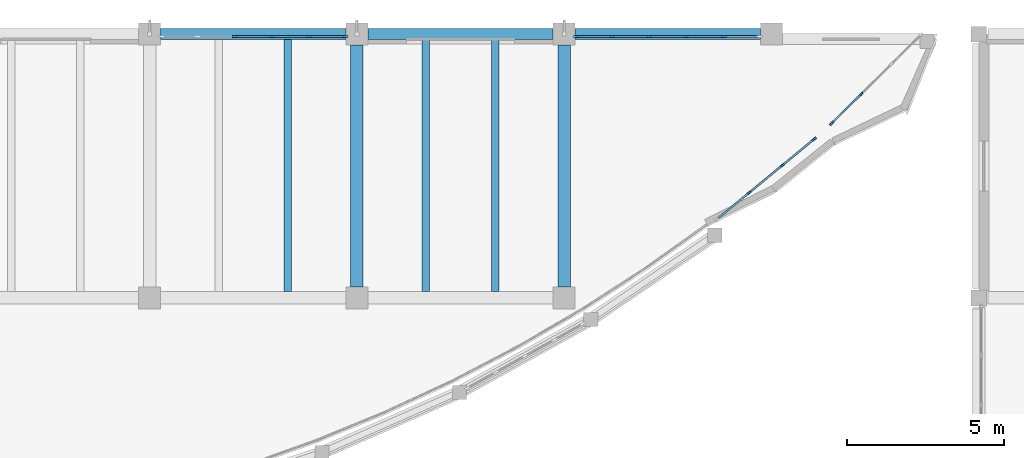
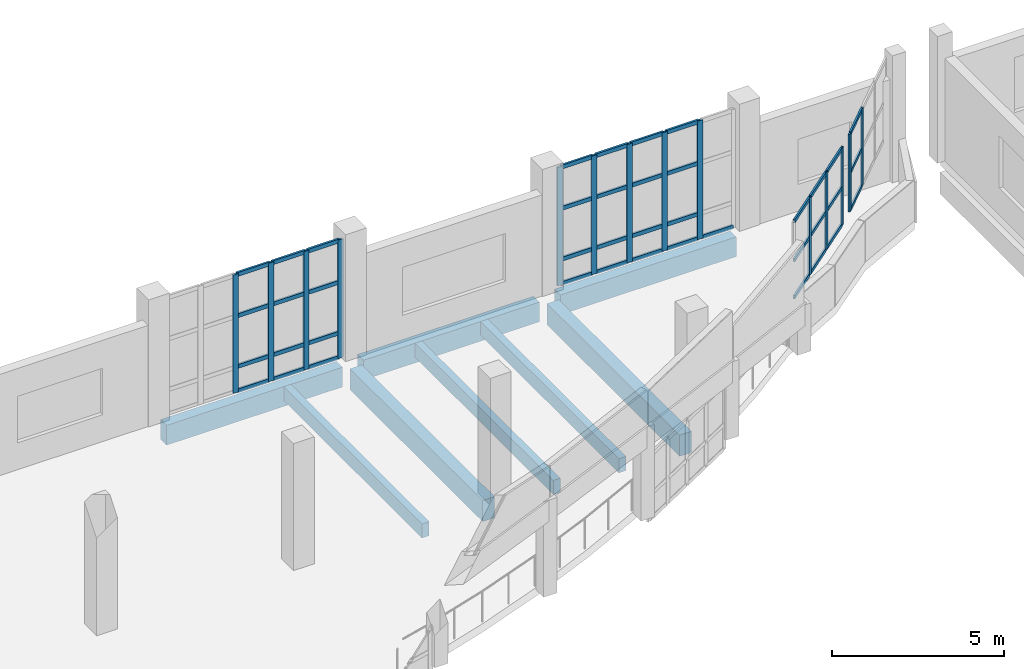
# One storey, part 32 of 83: 55 members, 8 beams, 4 elements without a shape of their own.
"""IFC4 building model written with IfcOpenShell, lengths in metres."""

from ifc_helpers import new_model, si_unit, direction, frame, origin, origin_2d, place, context, subcontext, project, spatial, rectangle, extrude, material, material_profile, profile_set, type_object, element, aggregate, save


model = new_model("IFC4")

# Units and contexts
model_context = context("Model", 3, precision=1e-05, world=origin(), true_north=direction((0.0, 1.0)))
body_context = subcontext(model_context, "Body", "Model", "MODEL_VIEW")
ifc_project = project(units=[si_unit("LENGTHUNIT", "METRE"), si_unit("AREAUNIT", "SQUARE_METRE"), si_unit("VOLUMEUNIT", "CUBIC_METRE"), si_unit("PLANEANGLEUNIT", "RADIAN"), si_unit("MASSUNIT", "GRAM", prefix="KILO")], contexts=[model_context])

# Site, building, storey
site_placement = place(None, origin())
site = spatial("IfcSite", under=ifc_project, at=site_placement, CompositionType="ELEMENT")
building_placement = place(site_placement, origin())
building = spatial("IfcBuilding", under=site, at=building_placement, Name="Qaldarim Faculty of Natural and Applied Sciences", CompositionType="ELEMENT")
storey_placement = place(building_placement, frame((0.0, 0.0, 5.39990234375)))
storey = spatial("IfcBuildingStorey", under=building, at=storey_placement, Name="L01", CompositionType="ELEMENT", Elevation=5.39990234375)

# Beams
ifc_material_1 = material(Name="Concrete C40/50", Category="concrete")
ifc_material_profile_1 = material_profile(ifc_material_1, rectangle(XDim=0.239990234375, YDim=0.5, at=origin_2d()), Name="RC-J240x500")
ifc_profile_set_1 = profile_set([ifc_material_profile_1], Name="Concrete C40/50")
beam_type_1 = type_object("IfcBeamType", Name="HeavyJoist-RC240x500", PredefinedType="JOIST", material=ifc_profile_set_1)
for number, where, z_axis, x_axis, name in (
    (1, (129.800048828125, 109.39990234375, -0.5498046875), (0.0, 1.0, 0.0), (-1.0, 0.0, 0.0), "Laboratory joist L00 bay X20Y14-2"),
    (2, (134.199951171875, 109.39990234375, -0.5498046875), (0.0, 1.0, 0.0), (-1.0, 0.0, 0.0), "Laboratory joist L00 bay X21Y14-1"),
    (3, (136.39990234375, 109.39990234375, -0.5498046875), (0.0, 1.0, 0.0), (-1.0, 0.0, 0.0), "Laboratory joist L00 bay X21Y14-2"),
):
    element("IfcBeam", number, at=place(storey_placement, frame(where, z_axis=z_axis, x_axis=x_axis)), inside=storey, type_object=beam_type_1, Name=name, PredefinedType="JOIST", context=body_context, shape_type="SweptSolid", body=[
        extrude(rectangle(XDim=0.239990234375, YDim=0.5, at=origin_2d()), origin(), (0.0, 0.0, 1.0), 8.025146484375),
    ])
ifc_material_2 = material(Name="Concrete C50/60", Category="concrete")
ifc_material_profile_2 = material_profile(ifc_material_2, rectangle(XDim=0.39990234375, YDim=0.75, at=origin_2d()), Name="RC-B400x750")
ifc_profile_set_2 = profile_set([ifc_material_profile_2], Name="Concrete C50/60")
beam_type_2 = type_object("IfcBeamType", Name="LabGirder-RC400x750", PredefinedType="BEAM", material=ifc_profile_set_2)
for number, where, z_axis, x_axis, name in (
    (4, (132.0, 109.550048828125, -0.6748046875), (0.0, 1.0, 0.0), (-1.0, 0.0, 0.0), "Beam RC-B400x750 L00 X21/Y14-Y15"),
    (5, (138.60009765625, 109.550048828125, -0.6748046875), (0.0, 1.0, 0.0), (-1.0, 0.0, 0.0), "Beam RC-B400x750 L00 X22/Y14-Y15"),
):
    element("IfcBeam", number, at=place(storey_placement, frame(where, z_axis=z_axis, x_axis=x_axis)), inside=storey, type_object=beam_type_2, Name=name, PredefinedType="BEAM", context=body_context, shape_type="SweptSolid", body=[
        extrude(rectangle(XDim=0.39990234375, YDim=0.75, at=origin_2d()), origin(), (0.0, 0.0, 1.0), 7.699951171875),
    ])

# Curtain wall, members
ifc_material_3 = material(Name="Anodised aluminium AW-6063", Category="aluminium")
curtain_wall_type_1 = type_object("IfcCurtainWallType", Name="CurtainWallSystem-M1400", PredefinedType="USERDEFINED", material=ifc_material_3)
curtain_wall_1_placement = place(storey_placement, origin())
curtain_wall_1 = element("IfcCurtainWall", 6, at=curtain_wall_1_placement, inside=storey, type_object=curtain_wall_type_1, Name="Curtain wall CW-V4ARC-L01-14", ObjectType="STICK CURTAIN WALL", PredefinedType="USERDEFINED")
ifc_material_profile_3 = material_profile(ifc_material_3, rectangle(XDim=0.06005859375, YDim=0.14990234375, at=origin_2d()), Name="ALU-M60x150")
ifc_profile_set_3 = profile_set([ifc_material_profile_3], Name="Anodised aluminium AW-6063")
member_type_1 = type_object("IfcMemberType", Name="Mullion-ALU60x150", PredefinedType="MULLION", material=ifc_profile_set_3)
member_1_placement = place(storey_placement, frame((144.49658203125, 112.558349609375, 1.4501953125), z_axis=(0.0, 0.0, 1.0), x_axis=(-0.635930067271, 0.771746687418, 0.0)))
member_1 = element("IfcMember", 7, at=member_1_placement, type_object=member_type_1, Name="Mullion 2 of CW-V4ARC-L01-14", PredefinedType="MULLION", context=body_context, shape_type="SweptSolid", body=[
    extrude(rectangle(XDim=0.06005859375, YDim=0.14990234375, at=origin_2d()), origin(), (0.0, 0.0, 1.0), 2.75),
])
member_2_placement = place(storey_placement, frame((145.538330078125, 113.416748046875, 1.4501953125), z_axis=(0.0, 0.0, 1.0), x_axis=(-0.635930067271, 0.771746687418, 0.0)))
member_2 = element("IfcMember", 8, at=member_2_placement, type_object=member_type_1, Name="Mullion 3 of CW-V4ARC-L01-14", PredefinedType="MULLION", context=body_context, shape_type="SweptSolid", body=[
    extrude(rectangle(XDim=0.06005859375, YDim=0.14990234375, at=origin_2d()), origin(), (0.0, 0.0, 1.0), 2.75),
])
member_3_placement = place(storey_placement, frame((146.556884765625, 114.255859375, 1.4501953125), z_axis=(0.0, 0.0, 1.0), x_axis=(-0.635930067271, 0.771746687418, 0.0)))
member_3 = element("IfcMember", 9, at=member_3_placement, type_object=member_type_1, Name="Mullion 4 of CW-V4ARC-L01-14", PredefinedType="MULLION", context=body_context, shape_type="SweptSolid", body=[
    extrude(rectangle(XDim=0.06005859375, YDim=0.14990234375, at=origin_2d()), origin(), (0.0, 0.0, 1.0), 2.75),
])

curtain_wall_2_placement = place(storey_placement, origin())
curtain_wall_2 = element("IfcCurtainWall", 10, at=curtain_wall_2_placement, inside=storey, type_object=curtain_wall_type_1, Name="Curtain wall CW-V4ARC-L01-16", ObjectType="STICK CURTAIN WALL", PredefinedType="USERDEFINED")
member_4_placement = place(storey_placement, frame((147.1162109375, 114.760986328125, 1.4501953125), z_axis=(0.0, 0.0, 1.0), x_axis=(-0.704014724456, 0.710185375623, 0.0)))
member_4 = element("IfcMember", 11, at=member_4_placement, type_object=member_type_1, Name="Mullion 1 of CW-V4ARC-L01-16", PredefinedType="MULLION", context=body_context, shape_type="SweptSolid", body=[
    extrude(rectangle(XDim=0.06005859375, YDim=0.14990234375, at=origin_2d()), origin(), (0.0, 0.0, 1.0), 2.75),
])
member_5_placement = place(storey_placement, frame((148.05322265625, 115.68994140625, 1.4501953125), z_axis=(0.0, 0.0, 1.0), x_axis=(-0.704014724456, 0.710185375623, 0.0)))
member_5 = element("IfcMember", 12, at=member_5_placement, type_object=member_type_1, Name="Mullion 2 of CW-V4ARC-L01-16", PredefinedType="MULLION", context=body_context, shape_type="SweptSolid", body=[
    extrude(rectangle(XDim=0.06005859375, YDim=0.14990234375, at=origin_2d()), origin(), (0.0, 0.0, 1.0), 2.75),
])

curtain_wall_type_2 = type_object("IfcCurtainWallType", Name="CurtainWallSystem-M1200", PredefinedType="USERDEFINED", material=ifc_material_3)
curtain_wall_3_placement = place(storey_placement, origin())
curtain_wall_3 = element("IfcCurtainWall", 13, at=curtain_wall_3_placement, inside=storey, type_object=curtain_wall_type_2, Name="Curtain wall CW-L01-N-X20Y14", ObjectType="STICK CURTAIN WALL", PredefinedType="USERDEFINED")
ifc_material_profile_4 = material_profile(ifc_material_3, rectangle(XDim=0.070068359375, YDim=0.179931640625, at=origin_2d()), Name="ALU-M70x180")
ifc_profile_set_4 = profile_set([ifc_material_profile_4], Name="Anodised aluminium AW-6063")
member_type_2 = type_object("IfcMemberType", Name="Mullion-ALU70x180", PredefinedType="MULLION", material=ifc_profile_set_4)
member_6_placement = place(storey_placement, frame((131.6201171875, 117.52001953125, 0.0), z_axis=(0.0, 0.0, 1.0), x_axis=(0.0, -1.0, 0.0)))
member_6 = element("IfcMember", 14, at=member_6_placement, type_object=member_type_2, Name="Mullion 1 of CW-L01-N-X20Y14", PredefinedType="MULLION", context=body_context, shape_type="SweptSolid", body=[
    extrude(rectangle(XDim=0.070068359375, YDim=0.179931640625, at=origin_2d()), origin(), (0.0, 0.0, 1.0), 4.2001953125),
])
member_7_placement = place(storey_placement, frame((130.472900390625, 117.52001953125, 0.0), z_axis=(0.0, 0.0, 1.0), x_axis=(0.0, -1.0, 0.0)))
member_7 = element("IfcMember", 15, at=member_7_placement, type_object=member_type_2, Name="Mullion 2 of CW-L01-N-X20Y14", PredefinedType="MULLION", context=body_context, shape_type="SweptSolid", body=[
    extrude(rectangle(XDim=0.070068359375, YDim=0.179931640625, at=origin_2d()), origin(), (0.0, 0.0, 1.0), 4.2001953125),
])
member_8_placement = place(storey_placement, frame((129.291015625, 117.52001953125, 0.0), z_axis=(0.0, 0.0, 1.0), x_axis=(0.0, -1.0, 0.0)))
member_8 = element("IfcMember", 16, at=member_8_placement, type_object=member_type_2, Name="Mullion 3 of CW-L01-N-X20Y14", PredefinedType="MULLION", context=body_context, shape_type="SweptSolid", body=[
    extrude(rectangle(XDim=0.070068359375, YDim=0.179931640625, at=origin_2d()), origin(), (0.0, 0.0, 1.0), 4.2001953125),
])
member_9_placement = place(storey_placement, frame((128.10888671875, 117.52001953125, 0.0), z_axis=(0.0, 0.0, 1.0), x_axis=(0.0, -1.0, 0.0)))
member_9 = element("IfcMember", 17, at=member_9_placement, type_object=member_type_2, Name="Mullion 4 of CW-L01-N-X20Y14", PredefinedType="MULLION", context=body_context, shape_type="SweptSolid", body=[
    extrude(rectangle(XDim=0.070068359375, YDim=0.179931640625, at=origin_2d()), origin(), (0.0, 0.0, 1.0), 4.2001953125),
])

curtain_wall_4_placement = place(storey_placement, origin())
curtain_wall_4 = element("IfcCurtainWall", 18, at=curtain_wall_4_placement, inside=storey, type_object=curtain_wall_type_2, Name="Curtain wall CW-L01-N-X22Y14", ObjectType="STICK CURTAIN WALL", PredefinedType="USERDEFINED")
member_10_placement = place(storey_placement, frame((143.673095703125, 117.52001953125, 0.0), z_axis=(0.0, 0.0, 1.0), x_axis=(0.0, -1.0, 0.0)))
member_10 = element("IfcMember", 19, at=member_10_placement, type_object=member_type_2, Name="Mullion 2 of CW-L01-N-X22Y14", PredefinedType="MULLION", context=body_context, shape_type="SweptSolid", body=[
    extrude(rectangle(XDim=0.070068359375, YDim=0.179931640625, at=origin_2d()), origin(), (0.0, 0.0, 1.0), 4.2001953125),
])
member_11_placement = place(storey_placement, frame((142.490966796875, 117.52001953125, 0.0), z_axis=(0.0, 0.0, 1.0), x_axis=(0.0, -1.0, 0.0)))
member_11 = element("IfcMember", 20, at=member_11_placement, type_object=member_type_2, Name="Mullion 3 of CW-L01-N-X22Y14", PredefinedType="MULLION", context=body_context, shape_type="SweptSolid", body=[
    extrude(rectangle(XDim=0.070068359375, YDim=0.179931640625, at=origin_2d()), origin(), (0.0, 0.0, 1.0), 4.2001953125),
])
member_12_placement = place(storey_placement, frame((141.30908203125, 117.52001953125, 0.0), z_axis=(0.0, 0.0, 1.0), x_axis=(0.0, -1.0, 0.0)))
member_12 = element("IfcMember", 21, at=member_12_placement, type_object=member_type_2, Name="Mullion 4 of CW-L01-N-X22Y14", PredefinedType="MULLION", context=body_context, shape_type="SweptSolid", body=[
    extrude(rectangle(XDim=0.070068359375, YDim=0.179931640625, at=origin_2d()), origin(), (0.0, 0.0, 1.0), 4.2001953125),
])
member_13_placement = place(storey_placement, frame((140.126953125, 117.52001953125, 0.0), z_axis=(0.0, 0.0, 1.0), x_axis=(0.0, -1.0, 0.0)))
member_13 = element("IfcMember", 22, at=member_13_placement, type_object=member_type_2, Name="Mullion 5 of CW-L01-N-X22Y14", PredefinedType="MULLION", context=body_context, shape_type="SweptSolid", body=[
    extrude(rectangle(XDim=0.070068359375, YDim=0.179931640625, at=origin_2d()), origin(), (0.0, 0.0, 1.0), 4.2001953125),
])
member_14_placement = place(storey_placement, frame((138.97998046875, 117.52001953125, 0.0), z_axis=(0.0, 0.0, 1.0), x_axis=(0.0, -1.0, 0.0)))
member_14 = element("IfcMember", 23, at=member_14_placement, type_object=member_type_2, Name="Mullion 6 of CW-L01-N-X22Y14", PredefinedType="MULLION", context=body_context, shape_type="SweptSolid", body=[
    extrude(rectangle(XDim=0.070068359375, YDim=0.179931640625, at=origin_2d()), origin(), (0.0, 0.0, 1.0), 4.2001953125),
])

# Beams
ifc_material_profile_5 = material_profile(ifc_material_1, rectangle(XDim=0.35009765625, YDim=0.699951171875, at=origin_2d()), Name="RC-B350x700")
ifc_profile_set_5 = profile_set([ifc_material_profile_5], Name="Concrete C40/50")
beam_type_3 = type_object("IfcBeamType", Name="PrimaryGirder-RC350x700", PredefinedType="BEAM", material=ifc_profile_set_5)
for number, where, z_axis, x_axis, name in (
    (24, (125.75, 117.60009765625, -0.64990234375), (1.0, 0.0, 0.0), (0.0, 1.0, 0.0), "Beam RC-B350x700 L00 X20-X21/Y15"),
    (25, (132.35009765625, 117.60009765625, -0.64990234375), (1.0, 0.0, 0.0), (0.0, 1.0, 0.0), "Beam RC-B350x700 L00 X21-X22/Y15"),
):
    element("IfcBeam", number, at=place(storey_placement, frame(where, z_axis=z_axis, x_axis=x_axis)), inside=storey, type_object=beam_type_3, Name=name, PredefinedType="BEAM", context=body_context, shape_type="SweptSolid", body=[
        extrude(rectangle(XDim=0.35009765625, YDim=0.699951171875, at=origin_2d()), origin(), (0.0, 0.0, 1.0), 5.89990234375),
    ])
beam_placement = place(storey_placement, frame((138.949951171875, 117.60009765625, -0.64990234375), z_axis=(1.0, 0.0, 0.0), x_axis=(0.0, 1.0, 0.0)))
element("IfcBeam", 26, at=beam_placement, inside=storey, type_object=beam_type_3, Name="Beam RC-B350x700 L00 X22-X23/Y15", PredefinedType="BEAM", context=body_context, shape_type="SweptSolid", body=[
    extrude(rectangle(XDim=0.35009765625, YDim=0.699951171875, at=origin_2d()), origin(), (0.0, 0.0, 1.0), 5.900146484375),
])

# Member
ifc_material_profile_6 = material_profile(ifc_material_3, rectangle(XDim=0.06005859375, YDim=0.1201171875, at=origin_2d()), Name="ALU-T60x120")
ifc_profile_set_6 = profile_set([ifc_material_profile_6], Name="Anodised aluminium AW-6063")
member_type_3 = type_object("IfcMemberType", Name="Transom-ALU60x120", PredefinedType="USERDEFINED", material=ifc_profile_set_6)
member_15_placement = place(storey_placement, frame((143.501220703125, 111.73828125, 1.47998046875), z_axis=(0.77176796605, 0.635904243247, 0.0), x_axis=(-0.635904243247, 0.77176796605, 0.0)))
member_15 = element("IfcMember", 27, at=member_15_placement, type_object=member_type_3, Name="Transom 1-1 of CW-V4ARC-L01-14", ObjectType="TRANSOM", PredefinedType="USERDEFINED", context=body_context, shape_type="SweptSolid", body=[
    extrude(rectangle(XDim=0.06005859375, YDim=0.1201171875, at=origin_2d()), origin(), (0.0, 0.0, 1.0), 1.259765625),
])

member_16_placement = place(storey_placement, frame((143.501220703125, 111.73828125, 2.800048828125), z_axis=(0.77176796605, 0.635904243247, 0.0), x_axis=(-0.635904243247, 0.77176796605, 0.0)))
member_16 = element("IfcMember", 28, at=member_16_placement, type_object=member_type_3, Name="Transom 1-2 of CW-V4ARC-L01-14", ObjectType="TRANSOM", PredefinedType="USERDEFINED", context=body_context, shape_type="SweptSolid", body=[
    extrude(rectangle(XDim=0.06005859375, YDim=0.1201171875, at=origin_2d()), origin(), (0.0, 0.0, 1.0), 1.259765625),
])

member_17_placement = place(storey_placement, frame((143.501220703125, 111.73828125, 4.170166015625), z_axis=(0.77176796605, 0.635904243247, 0.0), x_axis=(-0.635904243247, 0.77176796605, 0.0)))
member_17 = element("IfcMember", 29, at=member_17_placement, type_object=member_type_3, Name="Transom 1-3 of CW-V4ARC-L01-14", ObjectType="TRANSOM", PredefinedType="USERDEFINED", context=body_context, shape_type="SweptSolid", body=[
    extrude(rectangle(XDim=0.06005859375, YDim=0.1201171875, at=origin_2d()), origin(), (0.0, 0.0, 1.0), 1.259765625),
])

member_18_placement = place(storey_placement, frame((144.519775390625, 112.577392578125, 1.47998046875), z_axis=(0.771700705887, 0.635985865043, 0.0), x_axis=(-0.635985865043, 0.771700705887, 0.0)))
member_18 = element("IfcMember", 30, at=member_18_placement, type_object=member_type_3, Name="Transom 2-1 of CW-V4ARC-L01-14", ObjectType="TRANSOM", PredefinedType="USERDEFINED", context=body_context, shape_type="SweptSolid", body=[
    extrude(rectangle(XDim=0.06005859375, YDim=0.1201171875, at=origin_2d()), origin(), (0.0, 0.0, 1.0), 1.289794921875),
])

member_19_placement = place(storey_placement, frame((144.519775390625, 112.577392578125, 2.800048828125), z_axis=(0.771700705887, 0.635985865043, 0.0), x_axis=(-0.635985865043, 0.771700705887, 0.0)))
member_19 = element("IfcMember", 31, at=member_19_placement, type_object=member_type_3, Name="Transom 2-2 of CW-V4ARC-L01-14", ObjectType="TRANSOM", PredefinedType="USERDEFINED", context=body_context, shape_type="SweptSolid", body=[
    extrude(rectangle(XDim=0.06005859375, YDim=0.1201171875, at=origin_2d()), origin(), (0.0, 0.0, 1.0), 1.289794921875),
])

member_20_placement = place(storey_placement, frame((144.519775390625, 112.577392578125, 4.170166015625), z_axis=(0.771700705887, 0.635985865043, 0.0), x_axis=(-0.635985865043, 0.771700705887, 0.0)))
member_20 = element("IfcMember", 32, at=member_20_placement, type_object=member_type_3, Name="Transom 2-3 of CW-V4ARC-L01-14", ObjectType="TRANSOM", PredefinedType="USERDEFINED", context=body_context, shape_type="SweptSolid", body=[
    extrude(rectangle(XDim=0.06005859375, YDim=0.1201171875, at=origin_2d()), origin(), (0.0, 0.0, 1.0), 1.289794921875),
])

member_21_placement = place(storey_placement, frame((145.5615234375, 113.435791015625, 1.47998046875), z_axis=(0.77176796605, 0.635904243247, 0.0), x_axis=(-0.635904243247, 0.77176796605, 0.0)))
member_21 = element("IfcMember", 33, at=member_21_placement, type_object=member_type_3, Name="Transom 3-1 of CW-V4ARC-L01-14", ObjectType="TRANSOM", PredefinedType="USERDEFINED", context=body_context, shape_type="SweptSolid", body=[
    extrude(rectangle(XDim=0.06005859375, YDim=0.1201171875, at=origin_2d()), origin(), (0.0, 0.0, 1.0), 1.259765625),
])

member_22_placement = place(storey_placement, frame((145.5615234375, 113.435791015625, 2.800048828125), z_axis=(0.77176796605, 0.635904243247, 0.0), x_axis=(-0.635904243247, 0.77176796605, 0.0)))
member_22 = element("IfcMember", 34, at=member_22_placement, type_object=member_type_3, Name="Transom 3-2 of CW-V4ARC-L01-14", ObjectType="TRANSOM", PredefinedType="USERDEFINED", context=body_context, shape_type="SweptSolid", body=[
    extrude(rectangle(XDim=0.06005859375, YDim=0.1201171875, at=origin_2d()), origin(), (0.0, 0.0, 1.0), 1.259765625),
])

member_23_placement = place(storey_placement, frame((145.5615234375, 113.435791015625, 4.170166015625), z_axis=(0.77176796605, 0.635904243247, 0.0), x_axis=(-0.635904243247, 0.77176796605, 0.0)))
member_23 = element("IfcMember", 35, at=member_23_placement, type_object=member_type_3, Name="Transom 3-3 of CW-V4ARC-L01-14", ObjectType="TRANSOM", PredefinedType="USERDEFINED", context=body_context, shape_type="SweptSolid", body=[
    extrude(rectangle(XDim=0.06005859375, YDim=0.1201171875, at=origin_2d()), origin(), (0.0, 0.0, 1.0), 1.259765625),
])

aggregate(curtain_wall_1, [member_1, member_2, member_3, member_15, member_16, member_17, member_18, member_19, member_20, member_21, member_22, member_23])

member_24_placement = place(storey_placement, frame((147.1376953125, 114.7822265625, 1.47998046875), z_axis=(0.71010520996, 0.704095583559, 0.0), x_axis=(-0.704095583559, 0.71010520996, 0.0)))
member_24 = element("IfcMember", 36, at=member_24_placement, type_object=member_type_3, Name="Transom 1-1 of CW-V4ARC-L01-16", ObjectType="TRANSOM", PredefinedType="USERDEFINED", context=body_context, shape_type="SweptSolid", body=[
    extrude(rectangle(XDim=0.06005859375, YDim=0.1201171875, at=origin_2d()), origin(), (0.0, 0.0, 1.0), 1.25927734375),
])

member_25_placement = place(storey_placement, frame((147.1376953125, 114.7822265625, 2.800048828125), z_axis=(0.71010520996, 0.704095583559, 0.0), x_axis=(-0.704095583559, 0.71010520996, 0.0)))
member_25 = element("IfcMember", 37, at=member_25_placement, type_object=member_type_3, Name="Transom 1-2 of CW-V4ARC-L01-16", ObjectType="TRANSOM", PredefinedType="USERDEFINED", context=body_context, shape_type="SweptSolid", body=[
    extrude(rectangle(XDim=0.06005859375, YDim=0.1201171875, at=origin_2d()), origin(), (0.0, 0.0, 1.0), 1.25927734375),
])

member_26_placement = place(storey_placement, frame((147.1376953125, 114.7822265625, 4.170166015625), z_axis=(0.71010520996, 0.704095583559, 0.0), x_axis=(-0.704095583559, 0.71010520996, 0.0)))
member_26 = element("IfcMember", 38, at=member_26_placement, type_object=member_type_3, Name="Transom 1-3 of CW-V4ARC-L01-16", ObjectType="TRANSOM", PredefinedType="USERDEFINED", context=body_context, shape_type="SweptSolid", body=[
    extrude(rectangle(XDim=0.06005859375, YDim=0.1201171875, at=origin_2d()), origin(), (0.0, 0.0, 1.0), 1.25927734375),
])

aggregate(curtain_wall_2, [member_4, member_5, member_24, member_25, member_26])

ifc_material_profile_7 = material_profile(ifc_material_3, rectangle(XDim=0.070068359375, YDim=0.139892578125, at=origin_2d()), Name="ALU-T70x140")
ifc_profile_set_7 = profile_set([ifc_material_profile_7], Name="Anodised aluminium AW-6063")
member_type_4 = type_object("IfcMemberType", Name="Transom-ALU70x140", PredefinedType="USERDEFINED", material=ifc_profile_set_7)
member_27_placement = place(storey_placement, frame((131.5849609375, 117.52001953125, 0.03515625), z_axis=(-1.0, 0.0, 0.0), x_axis=(0.0, -1.0, 0.0)))
member_27 = element("IfcMember", 39, at=member_27_placement, type_object=member_type_4, Name="Transom 1-1 of CW-L01-N-X20Y14", ObjectType="TRANSOM", PredefinedType="USERDEFINED", context=body_context, shape_type="SweptSolid", body=[
    extrude(rectangle(XDim=0.070068359375, YDim=0.139892578125, at=origin_2d()), origin(), (0.0, 0.0, 1.0), 1.076904296875),
])

member_28_placement = place(storey_placement, frame((131.5849609375, 117.52001953125, 0.900146484375), z_axis=(-1.0, 0.0, 0.0), x_axis=(0.0, -1.0, 0.0)))
member_28 = element("IfcMember", 40, at=member_28_placement, type_object=member_type_4, Name="Transom 1-2 of CW-L01-N-X20Y14", ObjectType="TRANSOM", PredefinedType="USERDEFINED", context=body_context, shape_type="SweptSolid", body=[
    extrude(rectangle(XDim=0.070068359375, YDim=0.139892578125, at=origin_2d()), origin(), (0.0, 0.0, 1.0), 1.076904296875),
])

member_29_placement = place(storey_placement, frame((131.5849609375, 117.52001953125, 2.7001953125), z_axis=(-1.0, 0.0, 0.0), x_axis=(0.0, -1.0, 0.0)))
member_29 = element("IfcMember", 41, at=member_29_placement, type_object=member_type_4, Name="Transom 1-3 of CW-L01-N-X20Y14", ObjectType="TRANSOM", PredefinedType="USERDEFINED", context=body_context, shape_type="SweptSolid", body=[
    extrude(rectangle(XDim=0.070068359375, YDim=0.139892578125, at=origin_2d()), origin(), (0.0, 0.0, 1.0), 1.076904296875),
])

member_30_placement = place(storey_placement, frame((131.5849609375, 117.52001953125, 4.1650390625), z_axis=(-1.0, 0.0, 0.0), x_axis=(0.0, -1.0, 0.0)))
member_30 = element("IfcMember", 42, at=member_30_placement, type_object=member_type_4, Name="Transom 1-4 of CW-L01-N-X20Y14", ObjectType="TRANSOM", PredefinedType="USERDEFINED", context=body_context, shape_type="SweptSolid", body=[
    extrude(rectangle(XDim=0.070068359375, YDim=0.139892578125, at=origin_2d()), origin(), (0.0, 0.0, 1.0), 1.076904296875),
])

member_31_placement = place(storey_placement, frame((130.43798828125, 117.52001953125, 0.03515625), z_axis=(-1.0, 0.0, 0.0), x_axis=(0.0, -1.0, 0.0)))
member_31 = element("IfcMember", 43, at=member_31_placement, type_object=member_type_4, Name="Transom 2-1 of CW-L01-N-X20Y14", ObjectType="TRANSOM", PredefinedType="USERDEFINED", context=body_context, shape_type="SweptSolid", body=[
    extrude(rectangle(XDim=0.070068359375, YDim=0.139892578125, at=origin_2d()), origin(), (0.0, 0.0, 1.0), 1.112060546875),
])

member_32_placement = place(storey_placement, frame((130.43798828125, 117.52001953125, 0.900146484375), z_axis=(-1.0, 0.0, 0.0), x_axis=(0.0, -1.0, 0.0)))
member_32 = element("IfcMember", 44, at=member_32_placement, type_object=member_type_4, Name="Transom 2-2 of CW-L01-N-X20Y14", ObjectType="TRANSOM", PredefinedType="USERDEFINED", context=body_context, shape_type="SweptSolid", body=[
    extrude(rectangle(XDim=0.070068359375, YDim=0.139892578125, at=origin_2d()), origin(), (0.0, 0.0, 1.0), 1.112060546875),
])

member_33_placement = place(storey_placement, frame((130.43798828125, 117.52001953125, 2.7001953125), z_axis=(-1.0, 0.0, 0.0), x_axis=(0.0, -1.0, 0.0)))
member_33 = element("IfcMember", 45, at=member_33_placement, type_object=member_type_4, Name="Transom 2-3 of CW-L01-N-X20Y14", ObjectType="TRANSOM", PredefinedType="USERDEFINED", context=body_context, shape_type="SweptSolid", body=[
    extrude(rectangle(XDim=0.070068359375, YDim=0.139892578125, at=origin_2d()), origin(), (0.0, 0.0, 1.0), 1.112060546875),
])

member_34_placement = place(storey_placement, frame((130.43798828125, 117.52001953125, 4.1650390625), z_axis=(-1.0, 0.0, 0.0), x_axis=(0.0, -1.0, 0.0)))
member_34 = element("IfcMember", 46, at=member_34_placement, type_object=member_type_4, Name="Transom 2-4 of CW-L01-N-X20Y14", ObjectType="TRANSOM", PredefinedType="USERDEFINED", context=body_context, shape_type="SweptSolid", body=[
    extrude(rectangle(XDim=0.070068359375, YDim=0.139892578125, at=origin_2d()), origin(), (0.0, 0.0, 1.0), 1.112060546875),
])

member_35_placement = place(storey_placement, frame((129.256103515625, 117.52001953125, 0.03515625), z_axis=(-1.0, 0.0, 0.0), x_axis=(0.0, -1.0, 0.0)))
member_35 = element("IfcMember", 47, at=member_35_placement, type_object=member_type_4, Name="Transom 3-1 of CW-L01-N-X20Y14", ObjectType="TRANSOM", PredefinedType="USERDEFINED", context=body_context, shape_type="SweptSolid", body=[
    extrude(rectangle(XDim=0.070068359375, YDim=0.139892578125, at=origin_2d()), origin(), (0.0, 0.0, 1.0), 1.112060546875),
])

member_36_placement = place(storey_placement, frame((129.256103515625, 117.52001953125, 0.900146484375), z_axis=(-1.0, 0.0, 0.0), x_axis=(0.0, -1.0, 0.0)))
member_36 = element("IfcMember", 48, at=member_36_placement, type_object=member_type_4, Name="Transom 3-2 of CW-L01-N-X20Y14", ObjectType="TRANSOM", PredefinedType="USERDEFINED", context=body_context, shape_type="SweptSolid", body=[
    extrude(rectangle(XDim=0.070068359375, YDim=0.139892578125, at=origin_2d()), origin(), (0.0, 0.0, 1.0), 1.112060546875),
])

member_37_placement = place(storey_placement, frame((129.256103515625, 117.52001953125, 2.7001953125), z_axis=(-1.0, 0.0, 0.0), x_axis=(0.0, -1.0, 0.0)))
member_37 = element("IfcMember", 49, at=member_37_placement, type_object=member_type_4, Name="Transom 3-3 of CW-L01-N-X20Y14", ObjectType="TRANSOM", PredefinedType="USERDEFINED", context=body_context, shape_type="SweptSolid", body=[
    extrude(rectangle(XDim=0.070068359375, YDim=0.139892578125, at=origin_2d()), origin(), (0.0, 0.0, 1.0), 1.112060546875),
])

member_38_placement = place(storey_placement, frame((129.256103515625, 117.52001953125, 4.1650390625), z_axis=(-1.0, 0.0, 0.0), x_axis=(0.0, -1.0, 0.0)))
member_38 = element("IfcMember", 50, at=member_38_placement, type_object=member_type_4, Name="Transom 3-4 of CW-L01-N-X20Y14", ObjectType="TRANSOM", PredefinedType="USERDEFINED", context=body_context, shape_type="SweptSolid", body=[
    extrude(rectangle(XDim=0.070068359375, YDim=0.139892578125, at=origin_2d()), origin(), (0.0, 0.0, 1.0), 1.112060546875),
])

aggregate(curtain_wall_3, [member_6, member_7, member_8, member_9, member_27, member_28, member_29, member_30, member_31, member_32, member_33, member_34, member_35, member_36, member_37, member_38])

member_39_placement = place(storey_placement, frame((144.784912109375, 117.52001953125, 0.03515625), z_axis=(-1.0, 0.0, 0.0), x_axis=(0.0, -1.0, 0.0)))
member_39 = element("IfcMember", 51, at=member_39_placement, type_object=member_type_4, Name="Transom 1-1 of CW-L01-N-X22Y14", ObjectType="TRANSOM", PredefinedType="USERDEFINED", context=body_context, shape_type="SweptSolid", body=[
    extrude(rectangle(XDim=0.070068359375, YDim=0.139892578125, at=origin_2d()), origin(), (0.0, 0.0, 1.0), 1.076904296875),
])

member_40_placement = place(storey_placement, frame((143.637939453125, 117.52001953125, 0.03515625), z_axis=(-1.0, 0.0, 0.0), x_axis=(0.0, -1.0, 0.0)))
member_40 = element("IfcMember", 52, at=member_40_placement, type_object=member_type_4, Name="Transom 2-1 of CW-L01-N-X22Y14", ObjectType="TRANSOM", PredefinedType="USERDEFINED", context=body_context, shape_type="SweptSolid", body=[
    extrude(rectangle(XDim=0.070068359375, YDim=0.139892578125, at=origin_2d()), origin(), (0.0, 0.0, 1.0), 1.112060546875),
])

member_41_placement = place(storey_placement, frame((143.637939453125, 117.52001953125, 0.900146484375), z_axis=(-1.0, 0.0, 0.0), x_axis=(0.0, -1.0, 0.0)))
member_41 = element("IfcMember", 53, at=member_41_placement, type_object=member_type_4, Name="Transom 2-2 of CW-L01-N-X22Y14", ObjectType="TRANSOM", PredefinedType="USERDEFINED", context=body_context, shape_type="SweptSolid", body=[
    extrude(rectangle(XDim=0.070068359375, YDim=0.139892578125, at=origin_2d()), origin(), (0.0, 0.0, 1.0), 1.112060546875),
])

member_42_placement = place(storey_placement, frame((143.637939453125, 117.52001953125, 2.7001953125), z_axis=(-1.0, 0.0, 0.0), x_axis=(0.0, -1.0, 0.0)))
member_42 = element("IfcMember", 54, at=member_42_placement, type_object=member_type_4, Name="Transom 2-3 of CW-L01-N-X22Y14", ObjectType="TRANSOM", PredefinedType="USERDEFINED", context=body_context, shape_type="SweptSolid", body=[
    extrude(rectangle(XDim=0.070068359375, YDim=0.139892578125, at=origin_2d()), origin(), (0.0, 0.0, 1.0), 1.112060546875),
])

member_43_placement = place(storey_placement, frame((143.637939453125, 117.52001953125, 4.1650390625), z_axis=(-1.0, 0.0, 0.0), x_axis=(0.0, -1.0, 0.0)))
member_43 = element("IfcMember", 55, at=member_43_placement, type_object=member_type_4, Name="Transom 2-4 of CW-L01-N-X22Y14", ObjectType="TRANSOM", PredefinedType="USERDEFINED", context=body_context, shape_type="SweptSolid", body=[
    extrude(rectangle(XDim=0.070068359375, YDim=0.139892578125, at=origin_2d()), origin(), (0.0, 0.0, 1.0), 1.112060546875),
])

member_44_placement = place(storey_placement, frame((142.4560546875, 117.52001953125, 0.03515625), z_axis=(-1.0, 0.0, 0.0), x_axis=(0.0, -1.0, 0.0)))
member_44 = element("IfcMember", 56, at=member_44_placement, type_object=member_type_4, Name="Transom 3-1 of CW-L01-N-X22Y14", ObjectType="TRANSOM", PredefinedType="USERDEFINED", context=body_context, shape_type="SweptSolid", body=[
    extrude(rectangle(XDim=0.070068359375, YDim=0.139892578125, at=origin_2d()), origin(), (0.0, 0.0, 1.0), 1.112060546875),
])

member_45_placement = place(storey_placement, frame((142.4560546875, 117.52001953125, 0.900146484375), z_axis=(-1.0, 0.0, 0.0), x_axis=(0.0, -1.0, 0.0)))
member_45 = element("IfcMember", 57, at=member_45_placement, type_object=member_type_4, Name="Transom 3-2 of CW-L01-N-X22Y14", ObjectType="TRANSOM", PredefinedType="USERDEFINED", context=body_context, shape_type="SweptSolid", body=[
    extrude(rectangle(XDim=0.070068359375, YDim=0.139892578125, at=origin_2d()), origin(), (0.0, 0.0, 1.0), 1.112060546875),
])

member_46_placement = place(storey_placement, frame((142.4560546875, 117.52001953125, 2.7001953125), z_axis=(-1.0, 0.0, 0.0), x_axis=(0.0, -1.0, 0.0)))
member_46 = element("IfcMember", 58, at=member_46_placement, type_object=member_type_4, Name="Transom 3-3 of CW-L01-N-X22Y14", ObjectType="TRANSOM", PredefinedType="USERDEFINED", context=body_context, shape_type="SweptSolid", body=[
    extrude(rectangle(XDim=0.070068359375, YDim=0.139892578125, at=origin_2d()), origin(), (0.0, 0.0, 1.0), 1.112060546875),
])

member_47_placement = place(storey_placement, frame((142.4560546875, 117.52001953125, 4.1650390625), z_axis=(-1.0, 0.0, 0.0), x_axis=(0.0, -1.0, 0.0)))
member_47 = element("IfcMember", 59, at=member_47_placement, type_object=member_type_4, Name="Transom 3-4 of CW-L01-N-X22Y14", ObjectType="TRANSOM", PredefinedType="USERDEFINED", context=body_context, shape_type="SweptSolid", body=[
    extrude(rectangle(XDim=0.070068359375, YDim=0.139892578125, at=origin_2d()), origin(), (0.0, 0.0, 1.0), 1.112060546875),
])

member_48_placement = place(storey_placement, frame((141.27392578125, 117.52001953125, 0.03515625), z_axis=(-1.0, 0.0, 0.0), x_axis=(0.0, -1.0, 0.0)))
member_48 = element("IfcMember", 60, at=member_48_placement, type_object=member_type_4, Name="Transom 4-1 of CW-L01-N-X22Y14", ObjectType="TRANSOM", PredefinedType="USERDEFINED", context=body_context, shape_type="SweptSolid", body=[
    extrude(rectangle(XDim=0.070068359375, YDim=0.139892578125, at=origin_2d()), origin(), (0.0, 0.0, 1.0), 1.11181640625),
])

member_49_placement = place(storey_placement, frame((141.27392578125, 117.52001953125, 0.900146484375), z_axis=(-1.0, 0.0, 0.0), x_axis=(0.0, -1.0, 0.0)))
member_49 = element("IfcMember", 61, at=member_49_placement, type_object=member_type_4, Name="Transom 4-2 of CW-L01-N-X22Y14", ObjectType="TRANSOM", PredefinedType="USERDEFINED", context=body_context, shape_type="SweptSolid", body=[
    extrude(rectangle(XDim=0.070068359375, YDim=0.139892578125, at=origin_2d()), origin(), (0.0, 0.0, 1.0), 1.11181640625),
])

member_50_placement = place(storey_placement, frame((141.27392578125, 117.52001953125, 2.7001953125), z_axis=(-1.0, 0.0, 0.0), x_axis=(0.0, -1.0, 0.0)))
member_50 = element("IfcMember", 62, at=member_50_placement, type_object=member_type_4, Name="Transom 4-3 of CW-L01-N-X22Y14", ObjectType="TRANSOM", PredefinedType="USERDEFINED", context=body_context, shape_type="SweptSolid", body=[
    extrude(rectangle(XDim=0.070068359375, YDim=0.139892578125, at=origin_2d()), origin(), (0.0, 0.0, 1.0), 1.11181640625),
])

member_51_placement = place(storey_placement, frame((141.27392578125, 117.52001953125, 4.1650390625), z_axis=(-1.0, 0.0, 0.0), x_axis=(0.0, -1.0, 0.0)))
member_51 = element("IfcMember", 63, at=member_51_placement, type_object=member_type_4, Name="Transom 4-4 of CW-L01-N-X22Y14", ObjectType="TRANSOM", PredefinedType="USERDEFINED", context=body_context, shape_type="SweptSolid", body=[
    extrude(rectangle(XDim=0.070068359375, YDim=0.139892578125, at=origin_2d()), origin(), (0.0, 0.0, 1.0), 1.11181640625),
])

member_52_placement = place(storey_placement, frame((140.092041015625, 117.52001953125, 0.03515625), z_axis=(-1.0, 0.0, 0.0), x_axis=(0.0, -1.0, 0.0)))
member_52 = element("IfcMember", 64, at=member_52_placement, type_object=member_type_4, Name="Transom 5-1 of CW-L01-N-X22Y14", ObjectType="TRANSOM", PredefinedType="USERDEFINED", context=body_context, shape_type="SweptSolid", body=[
    extrude(rectangle(XDim=0.070068359375, YDim=0.139892578125, at=origin_2d()), origin(), (0.0, 0.0, 1.0), 1.0771484375),
])

member_53_placement = place(storey_placement, frame((140.092041015625, 117.52001953125, 0.900146484375), z_axis=(-1.0, 0.0, 0.0), x_axis=(0.0, -1.0, 0.0)))
member_53 = element("IfcMember", 65, at=member_53_placement, type_object=member_type_4, Name="Transom 5-2 of CW-L01-N-X22Y14", ObjectType="TRANSOM", PredefinedType="USERDEFINED", context=body_context, shape_type="SweptSolid", body=[
    extrude(rectangle(XDim=0.070068359375, YDim=0.139892578125, at=origin_2d()), origin(), (0.0, 0.0, 1.0), 1.0771484375),
])

member_54_placement = place(storey_placement, frame((140.092041015625, 117.52001953125, 2.7001953125), z_axis=(-1.0, 0.0, 0.0), x_axis=(0.0, -1.0, 0.0)))
member_54 = element("IfcMember", 66, at=member_54_placement, type_object=member_type_4, Name="Transom 5-3 of CW-L01-N-X22Y14", ObjectType="TRANSOM", PredefinedType="USERDEFINED", context=body_context, shape_type="SweptSolid", body=[
    extrude(rectangle(XDim=0.070068359375, YDim=0.139892578125, at=origin_2d()), origin(), (0.0, 0.0, 1.0), 1.0771484375),
])

member_55_placement = place(storey_placement, frame((140.092041015625, 117.52001953125, 4.1650390625), z_axis=(-1.0, 0.0, 0.0), x_axis=(0.0, -1.0, 0.0)))
member_55 = element("IfcMember", 67, at=member_55_placement, type_object=member_type_4, Name="Transom 5-4 of CW-L01-N-X22Y14", ObjectType="TRANSOM", PredefinedType="USERDEFINED", context=body_context, shape_type="SweptSolid", body=[
    extrude(rectangle(XDim=0.070068359375, YDim=0.139892578125, at=origin_2d()), origin(), (0.0, 0.0, 1.0), 1.0771484375),
])

aggregate(curtain_wall_4, [member_10, member_11, member_12, member_13, member_14, member_39, member_40, member_41, member_42, member_43, member_44, member_45, member_46, member_47, member_48, member_49, member_50, member_51, member_52, member_53, member_54, member_55])

save(model, "model.ifc")
